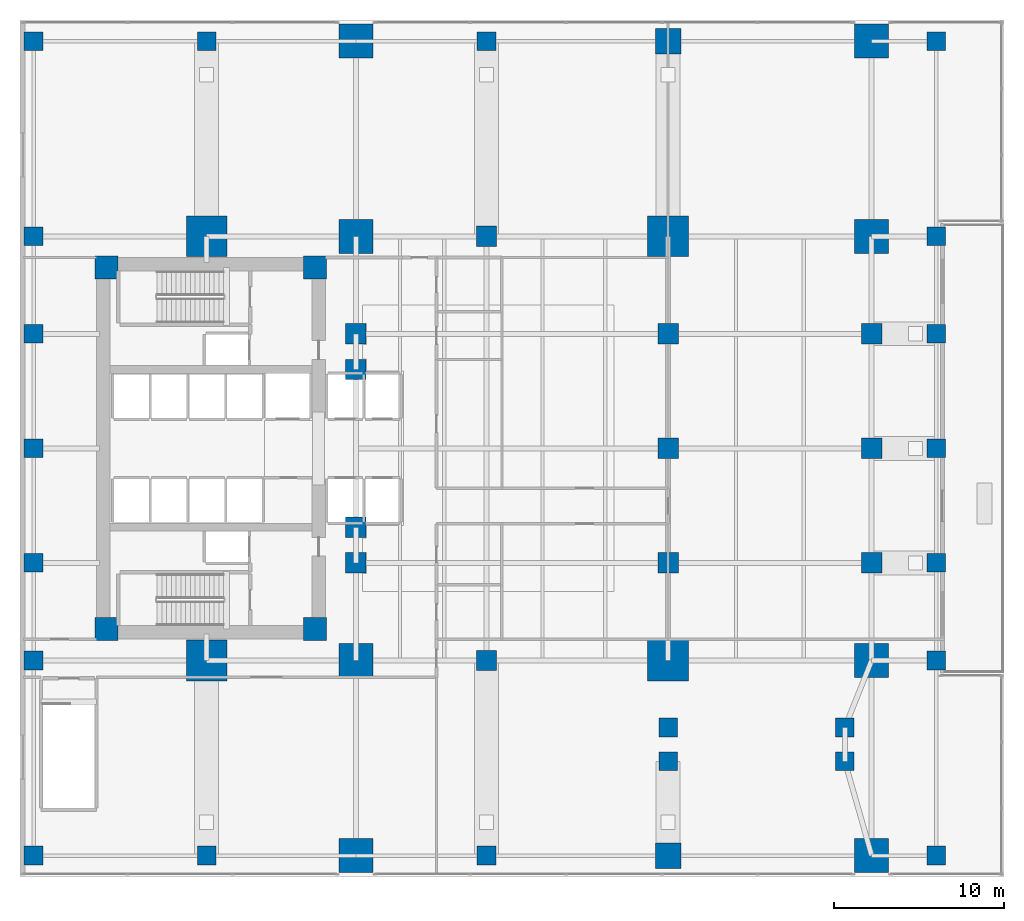
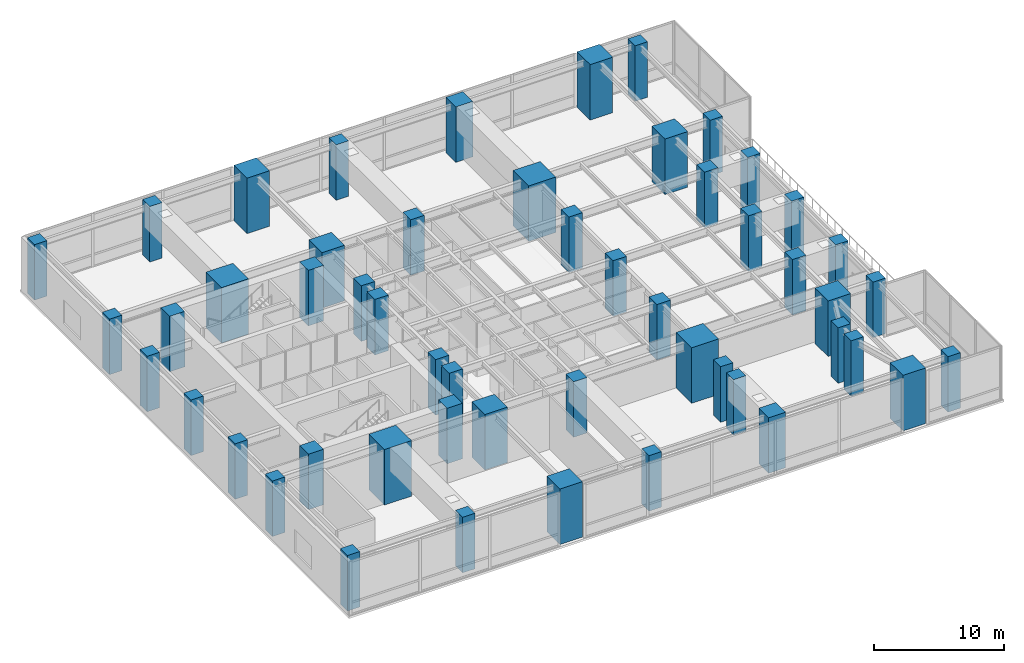
# One storey, part 1 of 14: 52 columns.
"""IFC4 building model written with IfcOpenShell, lengths in metres."""

from ifc_helpers import new_model, si_unit, direction, frame, origin, origin_2d, place, context, subcontext, project, spatial, rectangle, extrude, material, material_profile, profile_set, type_object, element, save


model = new_model("IFC4")

# Units and contexts
model_context = context("Model", 3, precision=1e-05, world=origin(), true_north=direction((0.0, 1.0)))
body_context = subcontext(model_context, "Body", "Model", "MODEL_VIEW")
ifc_project = project(units=[si_unit("LENGTHUNIT", "METRE"), si_unit("AREAUNIT", "SQUARE_METRE"), si_unit("VOLUMEUNIT", "CUBIC_METRE"), si_unit("PLANEANGLEUNIT", "RADIAN"), si_unit("MASSUNIT", "GRAM", prefix="KILO")], contexts=[model_context])

# Site, building, storey
site_placement = place(None, origin())
site = spatial("IfcSite", under=ifc_project, at=site_placement, CompositionType="ELEMENT")
building_placement = place(site_placement, origin())
building = spatial("IfcBuilding", under=site, at=building_placement, Name="Kinhvarn Gate Tower", CompositionType="ELEMENT")
storey_placement = place(building_placement, frame((0.0, 0.0, 20.39990234375)))
storey = spatial("IfcBuildingStorey", under=building, at=storey_placement, Name="L04", CompositionType="ELEMENT", Elevation=20.39990234375)

# Columns
ifc_material_1 = material(Name="Concrete C50/60", Category="concrete")
ifc_material_profile_1 = material_profile(ifc_material_1, rectangle(XDim=1.5, YDim=1.5, at=origin_2d()), Name="RC 1500x1500")
ifc_profile_set_1 = profile_set([ifc_material_profile_1], Name="Concrete C50/60")
column_type_1 = type_object("IfcColumnType", Name="COL-MC-1500", PredefinedType="COLUMN", material=ifc_profile_set_1)
for number, where, z_axis, x_axis, name in (
    (1, (38.199951171875, 1.25, 0.0), (0.0, 0.0, 1.0), (1.0, 0.0, 0.0), "Column SP38-OUT-S-L04 (MC-15)"),
    (2, (38.199951171875, 49.25, 0.0), (0.0, 0.0, 1.0), (1.0, 0.0, 0.0), "Column SP38-OUT-N-L04 (MC-15)"),
):
    element("IfcColumn", number, at=place(storey_placement, frame(where, z_axis=z_axis, x_axis=x_axis)), inside=storey, type_object=column_type_1, Name=name, PredefinedType="COLUMN", context=body_context, shape_type="SweptSolid", body=[
        extrude(rectangle(XDim=1.5, YDim=1.5, at=origin_2d()), origin(), (0.0, 0.0, 1.0), 5.2001953125),
    ])
ifc_material_2 = material(Name="Concrete C60/75", Category="concrete")
ifc_material_profile_2 = material_profile(ifc_material_2, rectangle(XDim=2.0, YDim=2.0, at=origin_2d()), Name="RC 2000x2000")
ifc_profile_set_2 = profile_set([ifc_material_profile_2], Name="Concrete C60/75")
column_type_2 = type_object("IfcColumnType", Name="COL-MC-2000", PredefinedType="COLUMN", material=ifc_profile_set_2)
for number, where, z_axis, x_axis, name in (
    (3, (19.800048828125, 1.25, 0.0), (0.0, 0.0, 1.0), (1.0, 0.0, 0.0), "Column APW-1-L04 (MC-20)"),
    (4, (50.199951171875, 1.25, 0.0), (0.0, 0.0, 1.0), (1.0, 0.0, 0.0), "Column APE-1-L04 (MC-20)"),
    (5, (19.800048828125, 12.75, 0.0), (0.0, 0.0, 1.0), (1.0, 0.0, 0.0), "Column APW-2-L04 (MC-20)"),
    (6, (50.199951171875, 12.75, 0.0), (0.0, 0.0, 1.0), (1.0, 0.0, 0.0), "Column APE-2-L04 (MC-20)"),
    (7, (19.800048828125, 37.75, 0.0), (0.0, 0.0, 1.0), (1.0, 0.0, 0.0), "Column APW-3-L04 (MC-20)"),
    (8, (50.199951171875, 37.75, 0.0), (0.0, 0.0, 1.0), (1.0, 0.0, 0.0), "Column APE-3-L04 (MC-20)"),
    (9, (19.800048828125, 49.25, 0.0), (0.0, 0.0, 1.0), (1.0, 0.0, 0.0), "Column APW-4-L04 (MC-20)"),
    (10, (50.199951171875, 49.25, 0.0), (0.0, 0.0, 1.0), (1.0, 0.0, 0.0), "Column APE-4-L04 (MC-20)"),
):
    element("IfcColumn", number, at=place(storey_placement, frame(where, z_axis=z_axis, x_axis=x_axis)), inside=storey, type_object=column_type_2, Name=name, PredefinedType="COLUMN", context=body_context, shape_type="SweptSolid", body=[
        extrude(rectangle(XDim=2.0, YDim=2.0, at=origin_2d()), origin(), (0.0, 0.0, 1.0), 5.2001953125),
    ])
ifc_material_3 = material(Name="Concrete C70/85", Category="concrete")
ifc_material_profile_3 = material_profile(ifc_material_3, rectangle(XDim=2.39990234375, YDim=2.39990234375, at=origin_2d()), Name="RC 2400x2400")
ifc_profile_set_3 = profile_set([ifc_material_profile_3], Name="Concrete C70/85")
column_type_3 = type_object("IfcColumnType", Name="COL-MC-2400", PredefinedType="COLUMN", material=ifc_profile_set_3)
for number, where, z_axis, x_axis, name in (
    (11, (11.0, 12.75, 0.0), (0.0, 0.0, 1.0), (1.0, 0.0, 0.0), "Column MC1-L04 (MC-24)"),
    (12, (11.0, 37.75, 0.0), (0.0, 0.0, 1.0), (1.0, 0.0, 0.0), "Column MC4-L04 (MC-24)"),
    (13, (38.199951171875, 12.75, 0.0), (0.0, 0.0, 1.0), (1.0, 0.0, 0.0), "Column MC2-L04 (MC-24)"),
    (14, (38.199951171875, 37.75, 0.0), (0.0, 0.0, 1.0), (1.0, 0.0, 0.0), "Column MC3-L04 (MC-24)"),
):
    element("IfcColumn", number, at=place(storey_placement, frame(where, z_axis=z_axis, x_axis=x_axis)), inside=storey, type_object=column_type_3, Name=name, PredefinedType="COLUMN", context=body_context, shape_type="SweptSolid", body=[
        extrude(rectangle(XDim=2.39990234375, YDim=2.39990234375, at=origin_2d()), origin(), (0.0, 0.0, 1.0), 5.2001953125),
    ])
ifc_material_profile_4 = material_profile(ifc_material_2, rectangle(XDim=1.10009765625, YDim=1.10009765625, at=origin_2d()), Name="RC 1100x1100")
ifc_profile_set_4 = profile_set([ifc_material_profile_4], Name="Concrete C60/75")
column_type_4 = type_object("IfcColumnType", Name="COL-RC-1100", PredefinedType="COLUMN", material=ifc_profile_set_4)
for number, where, z_axis, x_axis, name in (
    (15, (0.800048828125, 1.25, 0.0), (0.0, 0.0, 1.0), (1.0, 0.0, 0.0), "Column PW-1-L04 (C-110)"),
    (16, (54.0, 1.25, 0.0), (0.0, 0.0, 1.0), (1.0, 0.0, 0.0), "Column PE-1-L04 (C-110)"),
    (17, (0.800048828125, 12.75, 0.0), (0.0, 0.0, 1.0), (1.0, 0.0, 0.0), "Column PW-2-L04 (C-110)"),
    (18, (54.0, 12.75, 0.0), (0.0, 0.0, 1.0), (1.0, 0.0, 0.0), "Column PE-2-L04 (C-110)"),
    (19, (0.800048828125, 18.5, 0.0), (0.0, 0.0, 1.0), (1.0, 0.0, 0.0), "Column PW-3-L04 (C-110)"),
    (20, (54.0, 18.5, 0.0), (0.0, 0.0, 1.0), (1.0, 0.0, 0.0), "Column PE-3-L04 (C-110)"),
    (21, (0.800048828125, 25.25, 0.0), (0.0, 0.0, 1.0), (1.0, 0.0, 0.0), "Column PW-4-L04 (C-110)"),
    (22, (54.0, 25.25, 0.0), (0.0, 0.0, 1.0), (1.0, 0.0, 0.0), "Column PE-4-L04 (C-110)"),
    (23, (0.800048828125, 32.0, 0.0), (0.0, 0.0, 1.0), (1.0, 0.0, 0.0), "Column PW-5-L04 (C-110)"),
    (24, (54.0, 32.0, 0.0), (0.0, 0.0, 1.0), (1.0, 0.0, 0.0), "Column PE-5-L04 (C-110)"),
    (25, (0.800048828125, 37.75, 0.0), (0.0, 0.0, 1.0), (1.0, 0.0, 0.0), "Column PW-6-L04 (C-110)"),
    (26, (54.0, 37.75, 0.0), (0.0, 0.0, 1.0), (1.0, 0.0, 0.0), "Column PE-6-L04 (C-110)"),
    (27, (0.800048828125, 49.25, 0.0), (0.0, 0.0, 1.0), (1.0, 0.0, 0.0), "Column PW-7-L04 (C-110)"),
    (28, (54.0, 49.25, 0.0), (0.0, 0.0, 1.0), (1.0, 0.0, 0.0), "Column PE-7-L04 (C-110)"),
    (29, (11.0, 1.25, 0.0), (0.0, 0.0, 1.0), (1.0, 0.0, 0.0), "Column P11-S-L04 (C-110)"),
    (30, (11.0, 49.25, 0.0), (0.0, 0.0, 1.0), (1.0, 0.0, 0.0), "Column P11-N-L04 (C-110)"),
    (31, (48.6201171875, 6.800048828125, 0.0), (0.0, 0.0, 1.0), (1.0, 0.0, 0.0), "Column CS-SE1-L04 (C-110)"),
    (32, (48.6201171875, 8.800048828125, 0.0), (0.0, 0.0, 1.0), (1.0, 0.0, 0.0), "Column CS-SE1B-L04 (C-110)"),
    (33, (38.199951171875, 6.800048828125, 0.0), (0.0, 0.0, 1.0), (1.0, 0.0, 0.0), "Column CS-ANC68-L04 (C-110)"),
    (34, (38.199951171875, 8.800048828125, 0.0), (0.0, 0.0, 1.0), (1.0, 0.0, 0.0), "Column CS-ANC88-L04 (C-110)"),
    (35, (27.5, 1.25, 0.0), (0.0, 0.0, 1.0), (1.0, 0.0, 0.0), "Column SP27-OUT-S-L04 (C-110)"),
    (36, (27.5, 49.25, 0.0), (0.0, 0.0, 1.0), (1.0, 0.0, 0.0), "Column SP27-OUT-N-L04 (C-110)"),
):
    element("IfcColumn", number, at=place(storey_placement, frame(where, z_axis=z_axis, x_axis=x_axis)), inside=storey, type_object=column_type_4, Name=name, PredefinedType="COLUMN", context=body_context, shape_type="SweptSolid", body=[
        extrude(rectangle(XDim=1.10009765625, YDim=1.10009765625, at=origin_2d()), origin(), (0.0, 0.0, 1.0), 5.2001953125),
    ])
ifc_material_profile_5 = material_profile(ifc_material_2, rectangle(XDim=1.199951171875, YDim=1.199951171875, at=origin_2d()), Name="RC 1200x1200")
ifc_profile_set_5 = profile_set([ifc_material_profile_5], Name="Concrete C60/75")
column_type_5 = type_object("IfcColumnType", Name="COL-RC-1200", PredefinedType="COLUMN", material=ifc_profile_set_5)
for number, where, z_axis, x_axis, name in (
    (37, (27.5, 12.75, 0.0), (0.0, 0.0, 1.0), (1.0, 0.0, 0.0), "Column SP27-S-L04 (C-120)"),
    (38, (27.5, 37.75, 0.0), (0.0, 0.0, 1.0), (1.0, 0.0, 0.0), "Column SP27-N-L04 (C-120)"),
    (39, (38.199951171875, 18.5, 0.0), (0.0, 0.0, 1.0), (1.0, 0.0, 0.0), "Column SP38-E1-L04 (C-120)"),
    (40, (38.199951171875, 25.25, 0.0), (0.0, 0.0, 1.0), (1.0, 0.0, 0.0), "Column SP38-E2-L04 (C-120)"),
    (41, (38.199951171875, 32.0, 0.0), (0.0, 0.0, 1.0), (1.0, 0.0, 0.0), "Column SP38-E3-L04 (C-120)"),
    (42, (19.800048828125, 18.5, 0.0), (0.0, 0.0, 1.0), (1.0, 0.0, 0.0), "Column APW-M1-L04 (C-120)"),
    (43, (19.800048828125, 20.60009765625, 0.0), (0.0, 0.0, 1.0), (1.0, 0.0, 0.0), "Column APW-M2-L04 (C-120)"),
    (44, (19.800048828125, 29.89990234375, 0.0), (0.0, 0.0, 1.0), (1.0, 0.0, 0.0), "Column APW-M3-L04 (C-120)"),
    (45, (19.800048828125, 32.0, 0.0), (0.0, 0.0, 1.0), (1.0, 0.0, 0.0), "Column APW-M4-L04 (C-120)"),
    (46, (50.199951171875, 18.5, 0.0), (0.0, 0.0, 1.0), (1.0, 0.0, 0.0), "Column APE-M1-L04 (C-120)"),
    (47, (50.199951171875, 25.25, 0.0), (0.0, 0.0, 1.0), (1.0, 0.0, 0.0), "Column APE-M2-L04 (C-120)"),
    (48, (50.199951171875, 32.0, 0.0), (0.0, 0.0, 1.0), (1.0, 0.0, 0.0), "Column APE-M3-L04 (C-120)"),
):
    element("IfcColumn", number, at=place(storey_placement, frame(where, z_axis=z_axis, x_axis=x_axis)), inside=storey, type_object=column_type_5, Name=name, PredefinedType="COLUMN", context=body_context, shape_type="SweptSolid", body=[
        extrude(rectangle(XDim=1.199951171875, YDim=1.199951171875, at=origin_2d()), origin(), (0.0, 0.0, 1.0), 5.2001953125),
    ])
ifc_material_profile_6 = material_profile(ifc_material_3, rectangle(XDim=1.35009765625, YDim=1.35009765625, at=origin_2d()), Name="RC 1350x1350")
ifc_profile_set_6 = profile_set([ifc_material_profile_6], Name="Concrete C70/85")
column_type_6 = type_object("IfcColumnType", Name="PIL-RC-1350", PredefinedType="PILASTER", material=ifc_profile_set_6)
for number, where, z_axis, x_axis, name in (
    (49, (5.10009765625, 14.60009765625, 0.0), (0.0, 0.0, 1.0), (1.0, 0.0, 0.0), "Column CC-SW-L04 (CP-135)"),
    (50, (5.10009765625, 35.89990234375, 0.0), (0.0, 0.0, 1.0), (1.0, 0.0, 0.0), "Column CC-NW-L04 (CP-135)"),
    (51, (17.39990234375, 14.60009765625, 0.0), (0.0, 0.0, 1.0), (1.0, 0.0, 0.0), "Column CC-SE-L04 (CP-135)"),
    (52, (17.39990234375, 35.89990234375, 0.0), (0.0, 0.0, 1.0), (1.0, 0.0, 0.0), "Column CC-NE-L04 (CP-135)"),
):
    element("IfcColumn", number, at=place(storey_placement, frame(where, z_axis=z_axis, x_axis=x_axis)), inside=storey, type_object=column_type_6, Name=name, PredefinedType="PILASTER", context=body_context, shape_type="SweptSolid", body=[
        extrude(rectangle(XDim=1.35009765625, YDim=1.35009765625, at=origin_2d()), origin(), (0.0, 0.0, 1.0), 5.2001953125),
    ])

save(model, "model.ifc")
